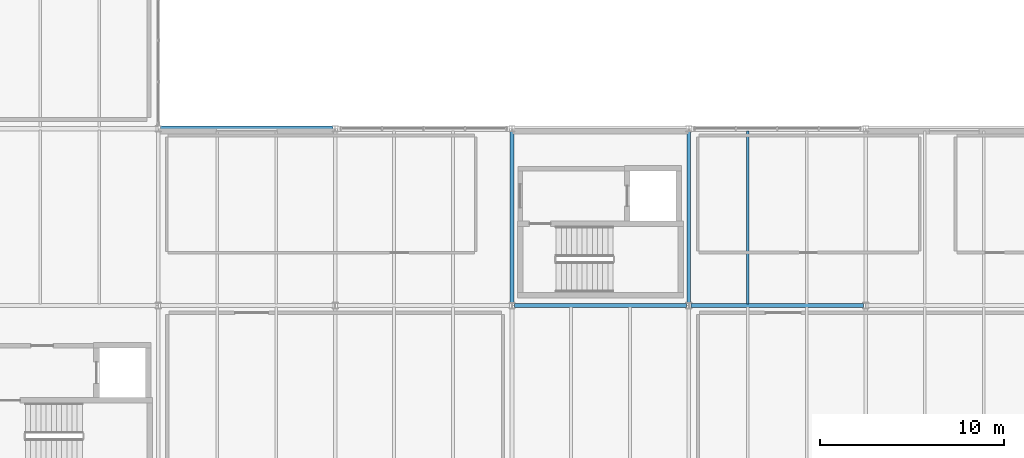
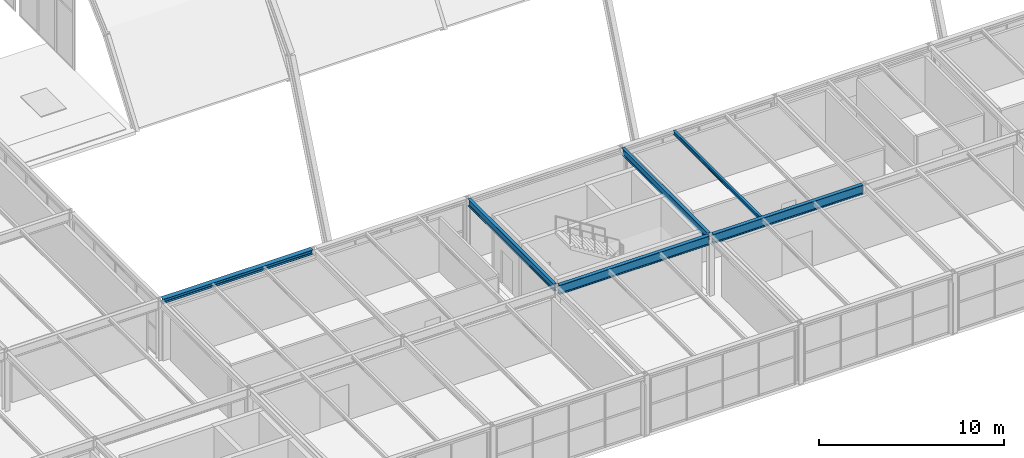
# One storey, part 29 of 126: 6 beams.
"""IFC4 building model written with IfcOpenShell, lengths in metres."""

from ifc_helpers import new_model, si_unit, direction, frame, origin, origin_2d, place, context, subcontext, project, spatial, i_section, extrude, material, material_profile, profile_set, type_object, element, save


model = new_model("IFC4")

# Units and contexts
model_context = context("Model", 3, precision=1e-05, world=origin(), true_north=direction((0.0, 1.0)))
body_context = subcontext(model_context, "Body", "Model", "MODEL_VIEW")
ifc_project = project(units=[si_unit("LENGTHUNIT", "METRE"), si_unit("AREAUNIT", "SQUARE_METRE"), si_unit("VOLUMEUNIT", "CUBIC_METRE"), si_unit("PLANEANGLEUNIT", "RADIAN"), si_unit("MASSUNIT", "GRAM", prefix="KILO")], contexts=[model_context])

# Site, building, storey
site_placement = place(None, origin())
site = spatial("IfcSite", under=ifc_project, at=site_placement, CompositionType="ELEMENT")
building_placement = place(site_placement, origin())
building = spatial("IfcBuilding", under=site, at=building_placement, Name="Coralgate Yard Interchange", CompositionType="ELEMENT")
storey_placement = place(building_placement, frame((0.0, 0.0, 10.5)))
storey = spatial("IfcBuildingStorey", under=building, at=storey_placement, Name="L02", CompositionType="ELEMENT", Elevation=10.5)

# Beams
ifc_material = material(Name="Structural steel S355J2", Category="steel")
ifc_material_profile_1 = material_profile(ifc_material, i_section(OverallWidth=0.1904296875, OverallDepth=0.45703125, WebThickness=0.009033203125, FlangeThickness=0.014404296875, FilletRadius=0.01025390625, at=origin_2d()), Name="UB 457x191x74")
ifc_profile_set_1 = profile_set([ifc_material_profile_1], Name="Structural steel S355J2")
beam_type_1 = type_object("IfcBeamType", Name="BM-SB-2", PredefinedType="BEAM", material=ifc_profile_set_1)
for number, where, z_axis, x_axis, name in (
    (1, (48.0, 9.739990234375, 3.721435546875), (0.0, 1.0, 0.0), (-1.0, 0.0, 0.0), "L02 primary grid girder X5 Y1-2"),
    (2, (57.60009765625, 9.739990234375, 3.721435546875), (0.0, 1.0, 0.0), (-1.0, 0.0, 0.0), "L02 primary grid girder X6 Y1-2"),
):
    element("IfcBeam", number, at=place(storey_placement, frame(where, z_axis=z_axis, x_axis=x_axis)), inside=storey, type_object=beam_type_1, Name=name, PredefinedType="BEAM", context=body_context, shape_type="SweptSolid", body=[
        extrude(i_section(OverallWidth=0.1904296875, OverallDepth=0.45703125, WebThickness=0.009033203125, FlangeThickness=0.014404296875, FilletRadius=0.01025390625, at=origin_2d()), origin(), (0.0, 0.0, 1.0), 9.320068359375),
    ])
ifc_material_profile_2 = material_profile(ifc_material, i_section(OverallWidth=0.228271484375, OverallDepth=0.607666015625, WebThickness=0.010986328125, FlangeThickness=0.017333984375, FilletRadius=0.0126953125, at=origin_2d()), Name="UB 610x229x113")
ifc_profile_set_2 = profile_set([ifc_material_profile_2], Name="Structural steel S355J2")
beam_type_2 = type_object("IfcBeamType", Name="BM-SG-5", PredefinedType="BEAM", material=ifc_profile_set_2)
for number, where, z_axis, x_axis, name in (
    (3, (48.127197265625, 9.60009765625, 3.646240234375), (1.0, 0.0, 0.0), (0.0, 1.0, 0.0), "L02 primary grid beam Y1 X5-6"),
    (4, (57.727294921875, 9.60009765625, 3.646240234375), (1.0, 0.0, 0.0), (0.0, 1.0, 0.0), "L02 primary grid beam Y1 X6-7"),
):
    element("IfcBeam", number, at=place(storey_placement, frame(where, z_axis=z_axis, x_axis=x_axis)), inside=storey, type_object=beam_type_2, Name=name, PredefinedType="BEAM", context=body_context, shape_type="SweptSolid", body=[
        extrude(i_section(OverallWidth=0.228271484375, OverallDepth=0.607666015625, WebThickness=0.010986328125, FlangeThickness=0.017333984375, FilletRadius=0.0126953125, at=origin_2d()), origin(), (0.0, 0.0, 1.0), 9.345458984375),
    ])
ifc_material_profile_3 = material_profile(ifc_material, i_section(OverallWidth=0.14599609375, OverallDepth=0.25146484375, WebThickness=0.006103515625, FlangeThickness=0.008544921875, FilletRadius=0.007568359375, at=origin_2d()), Name="UB 254x146x31")
ifc_profile_set_3 = profile_set([ifc_material_profile_3], Name="Structural steel S355J2")
beam_type_3 = type_object("IfcBeamType", Name="BM-SJ-2", PredefinedType="JOIST", material=ifc_profile_set_3)
beam_1_placement = place(storey_placement, frame((60.800048828125, 9.68408203125, 3.82421875), z_axis=(0.0, 1.0, 0.0), x_axis=(-1.0, 0.0, 0.0)))
element("IfcBeam", 5, at=beam_1_placement, inside=storey, type_object=beam_type_3, Name="L02 composite floor joist 6-1-1", PredefinedType="JOIST", context=body_context, shape_type="SweptSolid", body=[
    extrude(i_section(OverallWidth=0.14599609375, OverallDepth=0.25146484375, WebThickness=0.006103515625, FlangeThickness=0.008544921875, FilletRadius=0.007568359375, at=origin_2d()), origin(), (0.0, 0.0, 1.0), 9.39599609375),
])
ifc_material_profile_4 = material_profile(ifc_material, i_section(OverallWidth=0.300048828125, OverallDepth=0.2900390625, WebThickness=0.008544921875, FlangeThickness=0.013916015625, FilletRadius=0.027099609375, at=origin_2d()), Name="HEA 300")
ifc_profile_set_4 = profile_set([ifc_material_profile_4], Name="Structural steel S355J2")
beam_type_4 = type_object("IfcBeamType", Name="BM-SP-2", PredefinedType="SPANDREL", material=ifc_profile_set_4)
beam_2_placement = place(storey_placement, frame((28.92724609375, 19.199951171875, 3.804931640625), z_axis=(1.0, 0.0, 0.0), x_axis=(0.0, 1.0, 0.0)))
element("IfcBeam", 6, at=beam_2_placement, inside=storey, type_object=beam_type_4, Name="L02 primary grid beam Y2 X3-4", PredefinedType="SPANDREL", context=body_context, shape_type="SweptSolid", body=[
    extrude(i_section(OverallWidth=0.300048828125, OverallDepth=0.2900390625, WebThickness=0.008544921875, FlangeThickness=0.013916015625, FilletRadius=0.027099609375, at=origin_2d()), origin(), (0.0, 0.0, 1.0), 9.345458984375),
])

save(model, "model.ifc")
